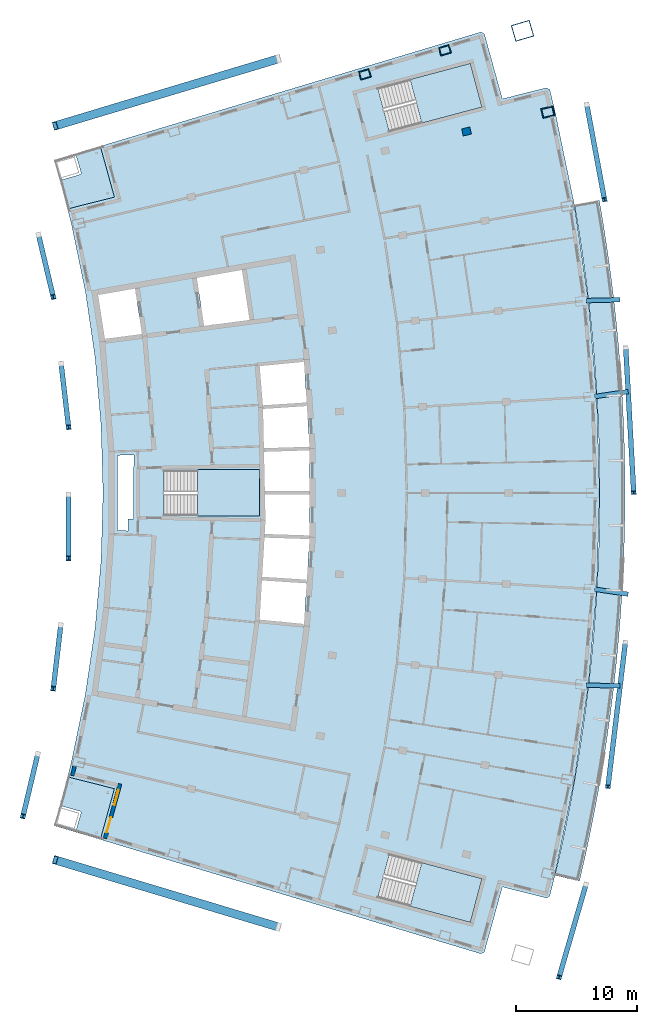
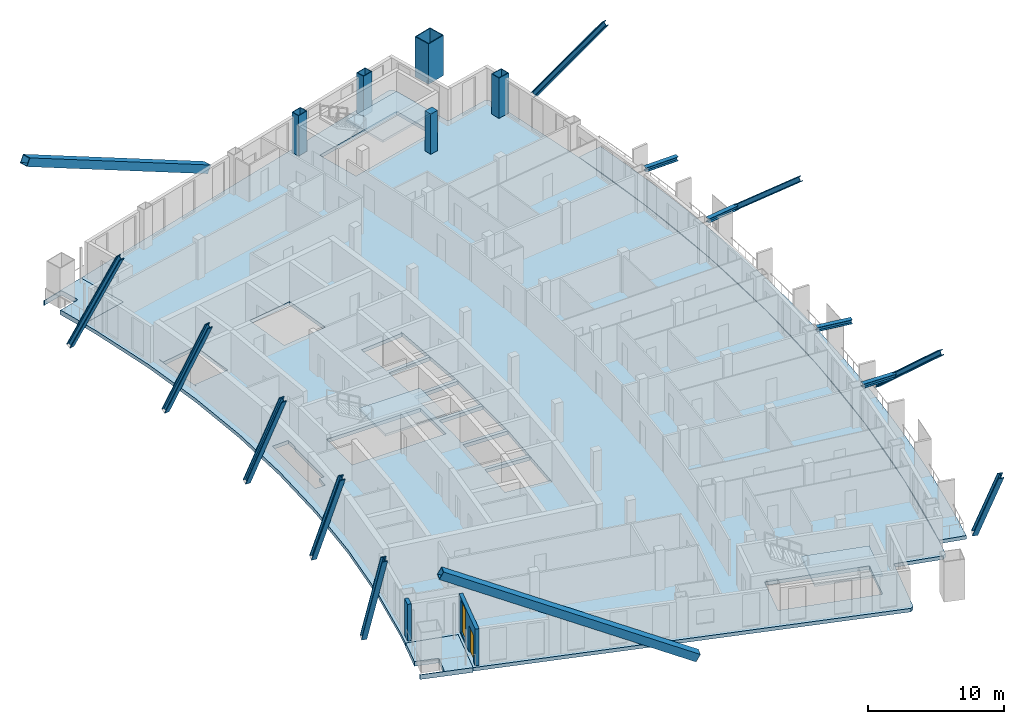
# One storey, part 6 of 17: 15 members, 7 slabs, 5 columns, 2 walls, 1 door, 1 window, 2 openings, 3 elements without a shape of their own.
"""IFC4 building model written with IfcOpenShell, lengths in metres."""

from ifc_helpers import new_model, si_unit, direction, frame, frame_2d, origin, origin_2d, place, context, subcontext, project, spatial, polyline, rectangle, hollow_rectangle, i_section, outline, extrude, material, layer, layer_set, material_profile, profile_set, type_object, element, fill, aggregate, save


model = new_model("IFC4")

# Units and contexts
model_context = context("Model", 3, precision=1e-05, world=origin(), true_north=direction((0.0, 1.0)))
body_context = subcontext(model_context, "Body", "Model", "MODEL_VIEW")
ifc_project = project(units=[si_unit("LENGTHUNIT", "METRE"), si_unit("AREAUNIT", "SQUARE_METRE"), si_unit("VOLUMEUNIT", "CUBIC_METRE"), si_unit("PLANEANGLEUNIT", "RADIAN"), si_unit("MASSUNIT", "GRAM", prefix="KILO")], contexts=[model_context])

# Site, building, storey
site_placement = place(None, origin())
site = spatial("IfcSite", under=ifc_project, at=site_placement, CompositionType="ELEMENT")
building_placement = place(site_placement, origin())
building = spatial("IfcBuilding", under=site, at=building_placement, Name="Alderwake Tower", CompositionType="ELEMENT")
storey_placement = place(building_placement, frame((0.0, 0.0, 256.39990234375)))
storey = spatial("IfcBuildingStorey", under=building, at=storey_placement, Name="L63", CompositionType="ELEMENT", Elevation=256.39990234375)

# Columns
ifc_material_1 = material(Name="Steel ASTM A572 Grade 50 concrete filled C70/85", Category="concrete")
ifc_material_profile_1 = material_profile(ifc_material_1, hollow_rectangle(XDim=0.699951171875, YDim=0.89990234375, WallThickness=0.050048828125, at=origin_2d()), Name="BOX 900X700X50")
ifc_profile_set_1 = profile_set([ifc_material_profile_1], Name="Steel ASTM A572 Grade 50 concrete filled C70/85")
column_type_1 = type_object("IfcColumnType", Name="End column Z5", PredefinedType="COLUMN", material=ifc_profile_set_1)
for number, where, z_axis, x_axis, name in (
    (1, (37.720947265625, 95.716796875, 0.0), (0.0, 0.0, 1.0), (-0.282862128353, 0.959160579019, 0.0), "Column R12-C3"),
    (2, (44.361572265625, 97.71044921875, 0.0), (0.0, 0.0, 1.0), (-0.28311490023, 0.95908599889, 0.0), "Column R12-C4"),
):
    element("IfcColumn", number, at=place(storey_placement, frame(where, z_axis=z_axis, x_axis=x_axis)), inside=storey, type_object=column_type_1, Name=name, PredefinedType="COLUMN", context=body_context, shape_type="SweptSolid", body=[
        extrude(hollow_rectangle(XDim=0.699951171875, YDim=0.89990234375, WallThickness=0.050048828125, at=origin_2d()), origin(), (0.0, 0.0, 1.0), 3.60009765625),
    ])
ifc_material_2 = material(Name="Concrete C70/85", Category="concrete")
ifc_material_profile_2 = material_profile(ifc_material_2, rectangle(XDim=0.60009765625, YDim=0.699951171875, at=origin_2d()), Name="RC 700X600")
ifc_profile_set_2 = profile_set([ifc_material_profile_2], Name="Concrete C70/85")
column_type_2 = type_object("IfcColumnType", Name="Interior column Z5", PredefinedType="COLUMN", material=ifc_profile_set_2)
column_1_placement = place(storey_placement, frame((46.15283203125, 90.981689453125, 0.0), z_axis=(0.0, 0.0, 1.0), x_axis=(-0.231221547198, 0.972901123502, 0.0)))
element("IfcColumn", 3, at=column_1_placement, inside=storey, type_object=column_type_2, Name="Column R11-C4", PredefinedType="COLUMN", context=body_context, shape_type="SweptSolid", body=[
    extrude(rectangle(XDim=0.60009765625, YDim=0.699951171875, at=origin_2d()), origin(), (0.0, 0.0, 1.0), 3.60009765625),
])
ifc_material_3 = material(Name="Steel ASTM A572 Grade 50 concrete filled C70/85", Category="concrete")
ifc_material_profile_3 = material_profile(ifc_material_3, hollow_rectangle(XDim=1.39990234375, YDim=1.60009765625, WallThickness=0.070068359375, at=origin_2d()), Name="BOX 1600X1400X70")
ifc_profile_set_3 = profile_set([ifc_material_profile_3], Name="Steel ASTM A572 Grade 50 concrete filled C70/85")
column_type_3 = type_object("IfcColumnType", Name="Mega column Z5", PredefinedType="COLUMN", material=ifc_profile_set_3)
column_2_placement = place(storey_placement, frame((50.798828125, 99.33203125, 0.0), z_axis=(0.0, 0.0, 1.0), x_axis=(-0.281232869624, 0.959639553709, 0.0)))
element("IfcColumn", 4, at=column_2_placement, inside=storey, type_object=column_type_3, Name="Column R12-C5", PredefinedType="COLUMN", context=body_context, shape_type="SweptSolid", body=[
    extrude(hollow_rectangle(XDim=1.39990234375, YDim=1.60009765625, WallThickness=0.070068359375, at=origin_2d()), origin(), (0.0, 0.0, 1.0), 3.60009765625),
])
ifc_material_4 = material(Name="Steel ASTM A572 Grade 50 concrete filled C70/85", Category="concrete")
ifc_material_profile_4 = material_profile(ifc_material_4, hollow_rectangle(XDim=0.800048828125, YDim=1.0, WallThickness=0.054931640625, at=origin_2d()), Name="BOX 1000X800X55")
ifc_profile_set_4 = profile_set([ifc_material_profile_4], Name="Steel ASTM A572 Grade 50 concrete filled C70/85")
column_type_4 = type_object("IfcColumnType", Name="Perimeter column Z5", PredefinedType="COLUMN", material=ifc_profile_set_4)
column_3_placement = place(storey_placement, frame((52.898193359375, 92.5849609375, 0.0), z_axis=(0.0, 0.0, 1.0), x_axis=(-0.231221547198, 0.972901123502, 0.0)))
element("IfcColumn", 5, at=column_3_placement, inside=storey, type_object=column_type_4, Name="Column R11-C5", PredefinedType="COLUMN", context=body_context, shape_type="SweptSolid", body=[
    extrude(hollow_rectangle(XDim=0.800048828125, YDim=1.0, WallThickness=0.054931640625, at=origin_2d()), origin(), (0.0, 0.0, 1.0), 3.60009765625),
])

# Members
ifc_material_5 = material(Name="Steel ASTM A992 Grade 50", Category="steel")
ifc_material_profile_5 = material_profile(ifc_material_5, i_section(OverallWidth=0.3740234375, OverallDepth=0.372314453125, WebThickness=0.016357421875, FlangeThickness=0.026123046875, at=origin_2d()), Name="W14X132")
ifc_profile_set_5 = profile_set([ifc_material_profile_5], Name="Steel ASTM A992 Grade 50")
member_type_1 = type_object("IfcMemberType", Name="Brace node stub W14X132", PredefinedType="MEMBER", material=ifc_profile_set_5)
member_1_placement = place(storey_placement, frame((56.81689453125, 53.0068359375, 3.393798828125), z_axis=(0.988823810336, -0.14908880613, 0.0), x_axis=(0.14908880613, 0.988823810336, 0.0)))
element("IfcMember", 6, at=member_1_placement, inside=storey, type_object=member_type_1, Name="Brace node stub BS.FR06-C5.2600", PredefinedType="MEMBER", context=body_context, shape_type="SweptSolid", body=[
    extrude(i_section(OverallWidth=0.3740234375, OverallDepth=0.372314453125, WebThickness=0.016357421875, FlangeThickness=0.026123046875, at=origin_2d()), origin(), (0.0, 0.0, 1.0), 2.775634765625),
])
for number, where, z_axis, x_axis, name in (
    (7, (56.11865234375, 45.05029296875, 3.393798828125), (0.999679128896, -0.025330599078, 0.0), (0.025330599078, 0.999679128896, 0.0), "Brace node stub BS.FR05-C5.2600"),
    (8, (56.11865234375, 76.94970703125, 3.393798828125), (0.999679128896, 0.025330599078, 0.0), (-0.025330599078, 0.999679128896, 0.0), "Brace node stub BS.FR09-C5.2600"),
):
    element("IfcMember", number, at=place(storey_placement, frame(where, z_axis=z_axis, x_axis=x_axis)), inside=storey, type_object=member_type_1, Name=name, PredefinedType="MEMBER", context=body_context, shape_type="SweptSolid", body=[
        extrude(i_section(OverallWidth=0.3740234375, OverallDepth=0.372314453125, WebThickness=0.016357421875, FlangeThickness=0.026123046875, at=origin_2d()), origin(), (0.0, 0.0, 1.0), 2.77587890625),
    ])
member_2_placement = place(storey_placement, frame((56.81689453125, 68.9931640625, 3.393798828125), z_axis=(0.988823810336, 0.14908880613, 0.0), x_axis=(-0.14908880613, 0.988823810336, 0.0)))
element("IfcMember", 9, at=member_2_placement, inside=storey, type_object=member_type_1, Name="Brace node stub BS.FR08-C5.2600", PredefinedType="MEMBER", context=body_context, shape_type="SweptSolid", body=[
    extrude(i_section(OverallWidth=0.3740234375, OverallDepth=0.372314453125, WebThickness=0.016357421875, FlangeThickness=0.026123046875, at=origin_2d()), origin(), (0.0, 0.0, 1.0), 2.775634765625),
])
ifc_material_6 = material(Name="Steel ASTM A572 Grade 50", Category="steel")
ifc_material_profile_6 = material_profile(ifc_material_6, hollow_rectangle(XDim=0.699951171875, YDim=0.699951171875, WallThickness=0.044921875, at=origin_2d()), Name="BOX 700X700X45")
ifc_profile_set_6 = profile_set([ifc_material_profile_6], Name="Steel ASTM A572 Grade 50")
member_type_2 = type_object("IfcMemberType", Name="Mega brace end Z5", PredefinedType="BRACE", material=ifc_profile_set_6)
for number, where, z_axis, x_axis, name in (
    (10, (30.547607421875, 24.9912109375, 0.307861328125), (-0.841788385266, 0.252734076801, 0.476988260709), (-0.287554098993, -0.957764396996, 0.0), "Brace BRS5.1.0B2"),
    (11, (30.547607421875, 97.0087890625, 0.307861328125), (-0.841788385266, -0.252734076801, 0.476988260709), (0.287554098993, -0.957764396996, 0.0), "Brace BRN5.1.0B2"),
):
    element("IfcMember", number, at=place(storey_placement, frame(where, z_axis=z_axis, x_axis=x_axis)), inside=storey, type_object=member_type_2, Name=name, PredefinedType="BRACE", context=body_context, shape_type="SweptSolid", body=[
        extrude(hollow_rectangle(XDim=0.699951171875, YDim=0.699951171875, WallThickness=0.044921875, at=origin_2d()), origin(), (0.0, 0.0, 1.0), 21.996826171875),
    ])
ifc_material_7 = material(Name="Steel ASTM A992 Grade 50", Category="steel")
ifc_material_profile_7 = material_profile(ifc_material_7, i_section(OverallWidth=0.41552734375, OverallDepth=0.445556640625, WebThickness=0.0390625, FlangeThickness=0.062744140625, at=origin_2d()), Name="W14X342")
ifc_profile_set_7 = profile_set([ifc_material_profile_7], Name="Steel ASTM A992 Grade 50")
member_type_3 = type_object("IfcMemberType", Name="Mega brace face Z5", PredefinedType="BRACE", material=ifc_profile_set_7)
member_3_placement = place(storey_placement, frame((56.063232421875, 28.5166015625, 0.21923828125), z_axis=(-0.168156319423, -0.579865234065, 0.797169845492), x_axis=(0.96043117617, -0.278517424664, 0.0)))
element("IfcMember", 12, at=member_3_placement, inside=storey, type_object=member_type_3, Name="Brace BRF5.1.2B2", PredefinedType="BRACE", context=body_context, shape_type="SweptSolid", body=[
    extrude(i_section(OverallWidth=0.41552734375, OverallDepth=0.445556640625, WebThickness=0.0390625, FlangeThickness=0.062744140625, at=origin_2d()), origin(), (0.0, 0.0, 1.0), 13.27294921875),
])
for number, where, z_axis, x_axis, name in (
    (13, (59.3310546875, 48.60546875, 0.181640625), (-0.089943441224, -0.745453913502, 0.660460930127), (0.992799594464, -0.119787166389, 0.0), "Brace BRF5.1.4B2"),
    (14, (59.361083984375, 73.053466796875, 0.181640625), (0.041213551769, -0.749725226372, 0.660464630463), (0.998492480572, 0.054888671331, 0.0), "Brace BRF5.1.7B2"),
):
    element("IfcMember", number, at=place(storey_placement, frame(where, z_axis=z_axis, x_axis=x_axis)), inside=storey, type_object=member_type_3, Name=name, PredefinedType="BRACE", context=body_context, shape_type="SweptSolid", body=[
        extrude(i_section(OverallWidth=0.41552734375, OverallDepth=0.445556640625, WebThickness=0.0390625, FlangeThickness=0.062744140625, at=origin_2d()), origin(), (0.0, 0.0, 1.0), 16.0771484375),
    ])
member_4_placement = place(storey_placement, frame((56.129150390625, 93.206298828125, 0.21923828125), z_axis=(0.110694510107, -0.593516078036, 0.797173375461), x_axis=(0.98304866708, 0.183344806722, 0.0)))
element("IfcMember", 15, at=member_4_placement, inside=storey, type_object=member_type_3, Name="Brace BRF5.1.10B2", PredefinedType="BRACE", context=body_context, shape_type="SweptSolid", body=[
    extrude(i_section(OverallWidth=0.41552734375, OverallDepth=0.445556640625, WebThickness=0.0390625, FlangeThickness=0.062744140625, at=origin_2d()), origin(), (0.0, 0.0, 1.0), 13.27294921875),
])
for number, where, z_axis, x_axis, name in (
    (16, (10.588134765625, 39.34130859375, 0.250244140625), (-0.104002052742, -0.437647747775, 0.893111427479), (0.972906199362, -0.231200188675, 0.0), "Brace BRR5.1.2B2"),
    (17, (12.493408203125, 50.033203125, 0.250244140625), (-0.052352282579, -0.446782192072, 0.893109686072), (0.993204753755, -0.116380054645, 0.0), "Brace BRR5.1.4B2"),
):
    element("IfcMember", number, at=place(storey_placement, frame(where, z_axis=z_axis, x_axis=x_axis)), inside=storey, type_object=member_type_3, Name=name, PredefinedType="BRACE", context=body_context, shape_type="SweptSolid", body=[
        extrude(i_section(OverallWidth=0.41552734375, OverallDepth=0.445556640625, WebThickness=0.0390625, FlangeThickness=0.062744140625, at=origin_2d()), origin(), (0.0, 0.0, 1.0), 11.8125),
    ])
for number, where, z_axis, x_axis, name in (
    (18, (13.141357421875, 60.8740234375, 0.250244140625), (0.0, -0.449824156765, 0.893117141248), (1.0, 0.0, 0.0), "Brace BRR5.1.6B2"),
    (19, (12.522705078125, 71.716796875, 0.250244140625), (0.052373377607, -0.446765165883, 0.893116966512), (0.993198819114, 0.116430690583, 0.0), "Brace BRR5.1.8B2"),
    (20, (10.646484375, 82.413818359375, 0.250244140625), (0.104002993468, -0.437631038096, 0.893119505914), (0.972903743222, 0.231210524034, 0.0), "Brace BRR5.1.10B2"),
):
    element("IfcMember", number, at=place(storey_placement, frame(where, z_axis=z_axis, x_axis=x_axis)), inside=storey, type_object=member_type_3, Name=name, PredefinedType="BRACE", context=body_context, shape_type="SweptSolid", body=[
        extrude(i_section(OverallWidth=0.41552734375, OverallDepth=0.445556640625, WebThickness=0.0390625, FlangeThickness=0.062744140625, at=origin_2d()), origin(), (0.0, 0.0, 1.0), 11.812255859375),
    ])

# Slabs
ifc_material_8 = material(Name="Concrete C50/60", Category="concrete")
ifc_layer_1 = layer(ifc_material_8, 0.320068359375)
ifc_layer_set_1 = layer_set([ifc_layer_1], Name="Balcony slab 320")
slab_type_1 = type_object("IfcSlabType", Name="Balcony slab 320", PredefinedType="FLOOR", material=ifc_layer_set_1)
slab_1_placement = place(storey_placement, frame((0.0, 0.0, -0.31982421875)))
element("IfcSlab", 21, at=slab_1_placement, inside=storey, type_object=slab_type_1, Name="Balcony BF03", PredefinedType="FLOOR", context=body_context, shape_type="SweptSolid", body=[
    extrude(outline(polyline([(55.98046875, 30.7705078125), (56.40673828125, 32.7568359375), (56.80419921875, 34.7490234375), (57.17236328125, 36.74658203125), (57.511474609375, 38.749755859375), (57.8212890625, 40.75732421875), (58.101806640625, 42.769287109375), (58.35302734375, 44.78515625), (58.57470703125, 46.804443359375), (58.76708984375, 48.826904296875), (58.9296875, 50.851806640625), (59.06298828125, 52.87890625), (59.166748046875, 54.90771484375), (59.24072265625, 56.937744140625), (59.28515625, 58.968505859375), (59.300048828125, 61.0), (59.28515625, 63.031494140625), (59.24072265625, 65.062255859375), (59.166748046875, 67.09228515625), (59.06298828125, 69.12109375), (58.9296875, 71.148193359375), (58.76708984375, 73.173095703125), (58.57470703125, 75.195556640625), (58.35302734375, 77.21484375), (58.101806640625, 79.230712890625), (57.8212890625, 81.24267578125), (57.511474609375, 83.250244140625), (57.17236328125, 85.25341796875), (55.1044921875, 84.8876953125), (55.4384765625, 82.914794921875), (55.74365234375, 80.9375), (56.02001953125, 78.955810546875), (56.267333984375, 76.970458984375), (56.485595703125, 74.9814453125), (56.675048828125, 72.98974609375), (56.83544921875, 70.995361328125), (56.966552734375, 68.998779296875), (57.068603515625, 67.00048828125), (57.1416015625, 65.001220703125), (57.185302734375, 63.000732421875), (57.199951171875, 61.0), (57.185302734375, 58.999267578125), (57.1416015625, 56.998779296875), (57.068603515625, 54.99951171875), (56.966552734375, 53.001220703125), (56.83544921875, 51.004638671875), (56.675048828125, 49.01025390625), (56.485595703125, 47.0185546875), (56.267333984375, 45.029541015625), (56.02001953125, 43.044189453125), (55.74365234375, 41.0625), (55.4384765625, 39.085205078125), (55.1044921875, 37.1123046875), (54.74169921875, 35.144775390625), (54.350341796875, 33.1826171875), (53.930419921875, 31.226318359375), (53.48193359375, 29.2763671875), (55.525146484375, 28.790771484375), (55.98046875, 30.7705078125)])), origin(), (0.0, 0.0, 1.0), 0.31982421875),
])
ifc_material_9 = material(Name="Concrete C50/60", Category="concrete")
ifc_layer_2 = layer(ifc_material_9, 0.320068359375)
ifc_layer_set_2 = layer_set([ifc_layer_2], Name="Concrete C50/60 post-tensioned flat plate 320")
slab_type_2 = type_object("IfcSlabType", Name="Concrete C50/60 post-tensioned flat plate 320", PredefinedType="FLOOR", material=ifc_layer_set_2)
slab_2_placement = place(storey_placement, frame((0.0, 0.0, -0.31982421875)))
element("IfcSlab", 22, at=slab_2_placement, inside=storey, type_object=slab_type_2, Name="Floor slab L63", PredefinedType="FLOOR", context=body_context, shape_type="SweptSolid", body=[
    extrude(outline(polyline([(13.06494140625, 37.443115234375), (13.3984375, 38.802734375), (14.53369140625, 44.28564453125), (15.347412109375, 49.825439453125), (15.836669921875, 55.4033203125), (16.0, 61.0), (15.836669921875, 66.5966796875), (15.347412109375, 72.174560546875), (14.53369140625, 77.71435546875), (13.3984375, 83.197265625), (13.06494140625, 84.556884765625), (16.942626953125, 85.53857421875), (15.776611328125, 89.7548828125), (47.35400390625, 99.2353515625), (47.6357421875, 99.079833984375), (49.12744140625, 93.685302734375), (52.7822265625, 94.6103515625), (53.06005859375, 94.443359375), (53.48193359375, 92.7236328125), (55.1044921875, 84.8876953125), (56.267333984375, 76.970458984375), (56.966552734375, 68.998779296875), (57.199951171875, 61.0), (56.966552734375, 53.001220703125), (56.267333984375, 45.029541015625), (55.1044921875, 37.1123046875), (53.48193359375, 29.2763671875), (53.06005859375, 27.556640625), (52.7822265625, 27.3896484375), (49.12744140625, 28.314697265625), (47.6357421875, 22.920166015625), (47.35400390625, 22.7646484375), (15.776611328125, 32.2451171875), (16.942626953125, 36.46142578125), (13.06494140625, 37.443115234375)]), holes=[polyline([(28.9853515625, 50.4306640625), (28.989013671875, 50.430419921875), (28.994140625, 50.485595703125), (32.646484375, 50.128173828125), (32.6318359375, 49.978759765625), (32.661865234375, 49.975830078125), (32.90087890625, 53.64794921875), (33.139892578125, 57.320068359375), (33.139892578125, 61.0), (33.139892578125, 64.679931640625), (32.90087890625, 68.35205078125), (32.661865234375, 72.024169921875), (32.6318359375, 72.021240234375), (32.646484375, 71.871826171875), (28.993896484375, 71.514404296875), (29.256591796875, 68.264892578125), (32.861083984375, 68.499755859375), (32.87109375, 68.35009765625), (32.880615234375, 68.200439453125), (29.278564453125, 67.9658203125), (29.274169921875, 68.032470703125), (29.2705078125, 68.0322265625), (29.34423828125, 64.70654296875), (33.105224609375, 64.828857421875), (33.110107421875, 64.678955078125), (33.114990234375, 64.529052734375), (29.350830078125, 64.406494140625), (29.4228515625, 61.14990234375), (33.110107421875, 61.14990234375), (33.110107421875, 61.0), (33.110107421875, 60.85009765625), (29.429443359375, 60.85009765625), (29.4765625, 58.72314453125), (29.409423828125, 57.591552734375), (33.114990234375, 57.470947265625), (33.110107421875, 57.321044921875), (33.105224609375, 57.171142578125), (29.395751953125, 57.291748046875), (29.39599609375, 57.3017578125), (29.392333984375, 57.302001953125), (29.198974609375, 54.039306640625), (32.880615234375, 53.799560546875), (32.87109375, 53.64990234375), (32.861083984375, 53.500244140625), (29.181396484375, 53.739990234375), (28.9853515625, 50.4306640625)]), polyline([(21.050048828125, 62.875), (21.050048828125, 59.125), (29.0, 59.125), (29.0, 62.875), (21.050048828125, 62.875)]), polyline([(15.54345703125, 77.892822265625), (15.437744140625, 77.874267578125), (15.4384765625, 77.87060546875), (15.519287109375, 77.8828125), (16.180908203125, 73.579833984375), (16.210693359375, 73.583740234375), (16.184814453125, 73.781982421875), (19.224609375, 74.1796875), (18.656005859375, 77.940673828125), (18.852294921875, 77.97021484375), (18.8505859375, 77.980224609375), (15.626220703125, 77.418212890625), (15.54345703125, 77.892822265625)]), polyline([(27.521240234375, 79.491943359375), (23.77783203125, 78.83935546875), (24.384033203125, 74.858642578125), (24.3642578125, 74.855712890625), (24.36474609375, 74.851806640625), (28.152587890625, 75.347412109375), (27.521240234375, 79.491943359375)]), polyline([(47.436279296875, 28.996826171875), (39.754150390625, 31.043212890625), (38.7890625, 27.41943359375), (46.47119140625, 25.373291015625), (47.436279296875, 28.996826171875)]), polyline([(46.47119140625, 96.626708984375), (38.7890625, 94.58056640625), (39.754150390625, 90.956787109375), (47.436279296875, 93.003173828125), (46.47119140625, 96.626708984375)]), polyline([(17.189453125, 64.114990234375), (17.189453125, 57.885009765625), (18.06298828125, 57.85400390625), (18.090576171875, 58.84375), (18.544189453125, 58.831298828125), (18.529296875, 58.8681640625), (18.5234375, 58.891845703125), (18.5185546875, 58.940673828125), (18.5185546875, 63.060302734375), (18.5234375, 63.109130859375), (18.53759765625, 63.156005859375), (18.560791015625, 63.19921875), (18.588623046875, 63.2333984375), (18.562744140625, 64.16357421875), (17.189453125, 64.114990234375)])]), origin(), (0.0, 0.0, 1.0), 0.31982421875),
])

# Stair, slab
ifc_material_10 = material(Name="Concrete C40/50", Category="concrete")
stair_type = type_object("IfcStairType", Name="Core exit stair", PredefinedType="HALF_TURN_STAIR", material=ifc_material_10)
stair_1_placement = place(storey_placement, origin())
stair_1 = element("IfcStair", 23, at=stair_1_placement, inside=storey, type_object=stair_type, Name="L63 Exit Stair B", PredefinedType="HALF_TURN_STAIR")
ifc_material_11 = material(Name="Concrete C40/50", Category="concrete")
ifc_layer_3 = layer(ifc_material_11, 0.199951171875)
ifc_layer_set_3 = layer_set([ifc_layer_3], Name="Core stair landing 200")
slab_type_3 = type_object("IfcSlabType", Name="Core stair landing 200", PredefinedType="LANDING", material=ifc_layer_set_3)
slab_3_placement = place(storey_placement, frame((0.0, 0.0, 1.60009765625)))
slab_3 = element("IfcSlab", 24, at=slab_3_placement, type_object=slab_type_3, Name="ST-B landing 1", PredefinedType="LANDING", context=body_context, shape_type="SweptSolid", body=[
    extrude(outline(polyline([(23.830078125, 59.074951171875), (29.0, 59.074951171875), (29.0, 62.925048828125), (23.830078125, 62.925048828125), (23.830078125, 59.074951171875)])), origin(), (0.0, 0.0, 1.0), 0.199951171875),
])
aggregate(stair_1, [slab_3])

stair_2_placement = place(storey_placement, origin())
stair_2 = element("IfcStair", 25, at=stair_2_placement, inside=storey, type_object=stair_type, Name="L63 Exit Stair A", PredefinedType="HALF_TURN_STAIR")
slab_4_placement = place(storey_placement, frame((0.0, 0.0, 1.60009765625)))
slab_4 = element("IfcSlab", 26, at=slab_4_placement, type_object=slab_type_3, Name="ST-A landing 1", PredefinedType="LANDING", context=body_context, shape_type="SweptSolid", body=[
    extrude(outline(polyline([(42.440673828125, 91.67236328125), (47.436279296875, 93.003173828125), (46.47119140625, 96.626708984375), (41.475341796875, 95.296142578125), (42.440673828125, 91.67236328125)])), origin(), (0.0, 0.0, 1.0), 0.199951171875),
])
aggregate(stair_2, [slab_4])

stair_3_placement = place(storey_placement, origin())
stair_3 = element("IfcStair", 27, at=stair_3_placement, inside=storey, type_object=stair_type, Name="L63 Exit Stair C", PredefinedType="HALF_TURN_STAIR")
slab_5_placement = place(storey_placement, frame((0.0, 0.0, 1.60009765625)))
slab_5 = element("IfcSlab", 28, at=slab_5_placement, type_object=slab_type_3, Name="ST-C landing 1", PredefinedType="LANDING", context=body_context, shape_type="SweptSolid", body=[
    extrude(outline(polyline([(41.475341796875, 26.703857421875), (46.47119140625, 25.373291015625), (47.436279296875, 28.996826171875), (42.4404296875, 30.32763671875), (41.475341796875, 26.703857421875)])), origin(), (0.0, 0.0, 1.0), 0.199951171875),
])
aggregate(stair_3, [slab_5])

# Slabs
ifc_material_12 = material(Name="Concrete C50/60", Category="concrete")
ifc_layer_4 = layer(ifc_material_12, 0.419921875)
ifc_layer_set_4 = layer_set([ifc_layer_4], Name="Terrace slab 420")
slab_type_4 = type_object("IfcSlabType", Name="Terrace slab 420", PredefinedType="FLOOR", material=ifc_layer_set_4)
slab_6_placement = place(storey_placement, frame((0.0, 0.0, -0.419921875)))
element("IfcSlab", 29, at=slab_6_placement, inside=storey, type_object=slab_type_4, Name="Corner terrace RS", PredefinedType="FLOOR", context=body_context, shape_type="SweptSolid", body=[
    extrude(outline(polyline([(15.776611328125, 32.2451171875), (11.945556640625, 33.395263671875), (11.9697265625, 33.478271484375), (11.97607421875, 33.46826171875), (11.985107421875, 33.456298828125), (11.9951171875, 33.44580078125), (12.006103515625, 33.435791015625), (12.017822265625, 33.42724609375), (12.03076171875, 33.419921875), (12.0439453125, 33.413818359375), (12.05810546875, 33.408935546875), (13.594482421875, 32.963134765625), (13.60888671875, 32.959716796875), (13.62353515625, 32.957763671875), (13.63818359375, 32.957275390625), (13.65283203125, 32.9580078125), (13.66748046875, 32.96044921875), (13.681640625, 32.964111328125), (13.695556640625, 32.969482421875), (13.708740234375, 32.975830078125), (13.72119140625, 32.9833984375), (13.73291015625, 32.992431640625), (13.74365234375, 33.00244140625), (13.75341796875, 33.013427734375), (13.76220703125, 33.025390625), (13.76953125, 33.0380859375), (13.775634765625, 33.051513671875), (13.780517578125, 33.0654296875), (14.17041015625, 34.409912109375), (14.173828125, 34.42431640625), (14.17578125, 34.43896484375), (14.176513671875, 34.45361328125), (14.175537109375, 34.46826171875), (14.173095703125, 34.48291015625), (14.16943359375, 34.4970703125), (14.164306640625, 34.510986328125), (14.157958984375, 34.524169921875), (14.150146484375, 34.53662109375), (14.14111328125, 34.54833984375), (14.131103515625, 34.55908203125), (14.1201171875, 34.56884765625), (14.1083984375, 34.577392578125), (14.095458984375, 34.5849609375), (14.082275390625, 34.591064453125), (14.068115234375, 34.595947265625), (12.531494140625, 35.04150390625), (12.517333984375, 35.044921875), (12.502685546875, 35.047119140625), (12.488037109375, 35.047607421875), (12.473388671875, 35.046630859375), (12.458740234375, 35.044189453125), (12.444580078125, 35.04052734375), (12.4306640625, 35.035400390625), (12.418701171875, 35.029541015625), (12.71142578125, 36.08837890625), (13.06494140625, 37.443115234375), (16.942626953125, 36.46142578125), (15.776611328125, 32.2451171875)])), origin(), (0.0, 0.0, 1.0), 0.419921875),
])
slab_7_placement = place(storey_placement, frame((0.0, 0.0, -0.419921875)))
element("IfcSlab", 30, at=slab_7_placement, inside=storey, type_object=slab_type_4, Name="Corner terrace RN", PredefinedType="FLOOR", context=body_context, shape_type="SweptSolid", body=[
    extrude(outline(polyline([(12.418701171875, 86.970458984375), (12.4306640625, 86.964599609375), (12.444580078125, 86.95947265625), (12.458740234375, 86.955810546875), (12.473388671875, 86.953369140625), (12.488037109375, 86.952392578125), (12.502685546875, 86.952880859375), (12.517333984375, 86.955078125), (12.531494140625, 86.95849609375), (14.068115234375, 87.404052734375), (14.082275390625, 87.408935546875), (14.095458984375, 87.4150390625), (14.1083984375, 87.422607421875), (14.1201171875, 87.43115234375), (14.131103515625, 87.44091796875), (14.14111328125, 87.45166015625), (14.150146484375, 87.46337890625), (14.157958984375, 87.475830078125), (14.164306640625, 87.489013671875), (14.16943359375, 87.5029296875), (14.173095703125, 87.51708984375), (14.175537109375, 87.53173828125), (14.176513671875, 87.54638671875), (14.17578125, 87.56103515625), (14.173828125, 87.57568359375), (14.17041015625, 87.590087890625), (13.780517578125, 88.9345703125), (13.775634765625, 88.948486328125), (13.76953125, 88.9619140625), (13.76220703125, 88.974609375), (13.75341796875, 88.986572265625), (13.74365234375, 88.99755859375), (13.73291015625, 89.007568359375), (13.72119140625, 89.0166015625), (13.708740234375, 89.024169921875), (13.695556640625, 89.030517578125), (13.681640625, 89.035888671875), (13.66748046875, 89.03955078125), (13.65283203125, 89.0419921875), (13.63818359375, 89.042724609375), (13.62353515625, 89.042236328125), (13.60888671875, 89.040283203125), (13.594482421875, 89.036865234375), (12.05810546875, 88.591064453125), (12.0439453125, 88.586181640625), (12.03076171875, 88.580078125), (12.017822265625, 88.57275390625), (12.006103515625, 88.564208984375), (11.9951171875, 88.55419921875), (11.985107421875, 88.543701171875), (11.97607421875, 88.53173828125), (11.9697265625, 88.521728515625), (11.945556640625, 88.604736328125), (15.776611328125, 89.7548828125), (16.942626953125, 85.53857421875), (13.06494140625, 84.556884765625), (12.71142578125, 85.91162109375), (12.418701171875, 86.970458984375)])), origin(), (0.0, 0.0, 1.0), 0.419921875),
])

# Wall
ifc_material_13 = material(Name="Precast concrete C50/60 spandrel panel", Category="concrete")
ifc_layer_5 = layer(ifc_material_13, 0.300048828125)
ifc_layer_set_5 = layer_set([ifc_layer_5], Name="External wall EW1 Precast concrete C50/60 spandrel")
wall_type_1 = type_object("IfcWallType", Name="External wall EW1 Precast concrete C50/60 spandrel", PredefinedType="SOLIDWALL", material=ifc_layer_set_5)
wall_1_placement = place(storey_placement, frame((13.643310546875, 38.33154296875, 0.0), z_axis=(0.0, 0.0, 1.0), x_axis=(-0.238313493867, -0.971188281767, 0.0)))
element("IfcWall", 31, at=wall_1_placement, inside=storey, type_object=wall_type_1, Name="External wall 1", PredefinedType="SOLIDWALL", context=body_context, shape_type="SweptSolid", body=[
    extrude(rectangle(XDim=0.80322265625, YDim=0.300048828125, at=frame_2d((0.401611328125, 0.0))), origin(), (0.0, 0.0, 1.0), 3.280029296875),
])

# Wall, openings, door, window
ifc_material_14 = material(Name="Bronze metal cladding on lightweight framing")
ifc_layer_6 = layer(ifc_material_14, 0.300048828125)
ifc_layer_set_6 = layer_set([ifc_layer_6], Name="External wall EW2 bronze metal cladding")
wall_type_2 = type_object("IfcWallType", Name="External wall EW2 bronze metal cladding", PredefinedType="SOLIDWALL", material=ifc_layer_set_6)
wall_2_placement = place(storey_placement, frame((17.410400390625, 36.85888671875, 0.0), z_axis=(0.0, 0.0, 1.0), x_axis=(-0.264592640785, -0.96436027212, 0.0)))
wall_2 = element("IfcWall", 32, at=wall_2_placement, inside=storey, type_object=wall_type_2, Name="External wall 3", PredefinedType="SOLIDWALL", context=body_context, shape_type="SweptSolid", body=[
    extrude(rectangle(XDim=4.690185546875, YDim=0.300048828125, at=frame_2d((2.34521484375, 0.0))), origin(), (0.0, 0.0, 1.0), 3.280029296875),
])
opening_1_placement = place(wall_2_placement, frame((0.5224609375, 0.0, 0.199951171875)))
opening_1 = element("IfcOpeningElement", 33, at=opening_1_placement, cuts=wall_2, Name="Opening W1", PredefinedType="OPENING", context=body_context, shape_type="SweptSolid", body=[
    extrude(rectangle(XDim=1.300048828125, YDim=2.89990234375, at=frame_2d((0.64990234375, 1.449951171875))), frame((0.0, 0.159912109375, 0.0), z_axis=(0.0, -1.0, 0.0), x_axis=(1.0, 0.0, 0.0)), (0.0, 0.0, 1.0), 0.320068359375),
])
opening_2_placement = place(wall_2_placement, frame((2.867431640625, 0.0, 0.0)))
opening_2 = element("IfcOpeningElement", 34, at=opening_2_placement, cuts=wall_2, Name="Opening D01", PredefinedType="OPENING", context=body_context, shape_type="SweptSolid", body=[
    extrude(rectangle(XDim=1.300048828125, YDim=2.39990234375, at=frame_2d((0.64990234375, 1.199951171875))), frame((0.0, 0.159912109375, 0.0), z_axis=(0.0, -1.0, 0.0), x_axis=(1.0, 0.0, 0.0)), (0.0, 0.0, 1.0), 0.320068359375),
])
ifc_material_15 = material(Name="Bronze tinted glass in aluminium frame", Category="aluminium")
door_type = type_object("IfcDoorType", Name="Balcony door BD sliding", OperationType="SLIDING_TO_LEFT", PredefinedType="DOOR", material=ifc_material_15)
door_placement = place(opening_2_placement, origin())
door = element("IfcDoor", 35, at=door_placement, inside=storey, type_object=door_type, Name="Door D01", OperationType="SLIDING_TO_LEFT", OverallHeight=2.39990234375, OverallWidth=1.300048828125, PredefinedType="DOOR", context=body_context, shape_type="SweptSolid", body=[
    extrude(rectangle(XDim=1.300048828125, YDim=2.39990234375, at=frame_2d((0.64990234375, 1.199951171875))), frame((0.0, 0.02490234375, 0.0), z_axis=(0.0, -1.0, 0.0), x_axis=(1.0, 0.0, 0.0)), (0.0, 0.0, 1.0), 0.050048828125),
])
fill(opening_2, door)
ifc_material_16 = material(Name="Bronze tinted glass in aluminium frame", Category="aluminium")
window_type = type_object("IfcWindowType", Name="Window W1 tall fixed and vent", PartitioningType="DOUBLE_PANEL_VERTICAL", PredefinedType="WINDOW", material=ifc_material_16)
window_placement = place(opening_1_placement, origin())
window = element("IfcWindow", 36, at=window_placement, inside=storey, type_object=window_type, Name="Window W1 tall fixed and vent", OverallHeight=2.89990234375, OverallWidth=1.300048828125, PartitioningType="DOUBLE_PANEL_VERTICAL", PredefinedType="WINDOW", context=body_context, shape_type="SweptSolid", body=[
    extrude(rectangle(XDim=1.300048828125, YDim=2.89990234375, at=frame_2d((0.64990234375, 1.449951171875))), frame((0.0, 0.030029296875, 0.0), z_axis=(0.0, -1.0, 0.0), x_axis=(1.0, 0.0, 0.0)), (0.0, 0.0, 1.0), 0.06005859375),
])
fill(opening_1, window)

save(model, "model.ifc")
